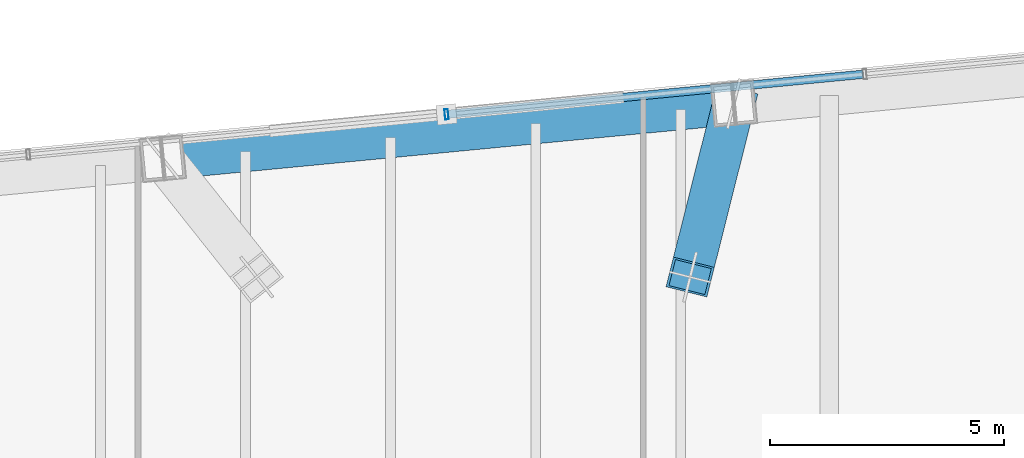
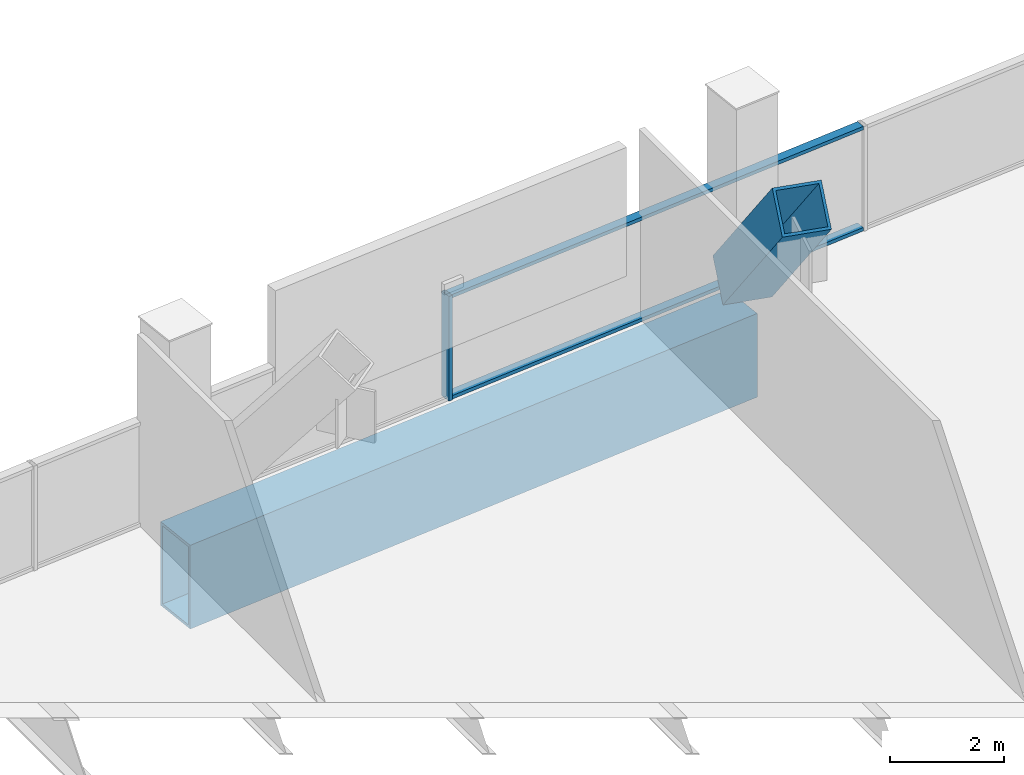
# One storey, part 17 of 30: 4 members, 1 beam, 1 element without a shape of its own.
"""IFC4 building model written with IfcOpenShell, lengths in metres."""

from ifc_helpers import new_model, si_unit, direction, frame, origin, origin_2d, place, context, subcontext, project, spatial, hollow_rectangle, extrude, material, layer, layer_set, material_profile, profile_set, type_object, element, aggregate, save


model = new_model("IFC4")

# Units and contexts
model_context = context("Model", 3, precision=1e-05, world=origin(), true_north=direction((0.0, 1.0)))
body_context = subcontext(model_context, "Body", "Model", "MODEL_VIEW")
ifc_project = project(units=[si_unit("LENGTHUNIT", "METRE"), si_unit("AREAUNIT", "SQUARE_METRE"), si_unit("VOLUMEUNIT", "CUBIC_METRE"), si_unit("PLANEANGLEUNIT", "RADIAN"), si_unit("MASSUNIT", "GRAM", prefix="KILO")], contexts=[model_context])

# Site, building, storey
site_placement = place(None, origin())
site = spatial("IfcSite", under=ifc_project, at=site_placement, CompositionType="ELEMENT")
building_placement = place(site_placement, origin())
building = spatial("IfcBuilding", under=site, at=building_placement, Name="Qhalaya Broadcast Tower", CompositionType="ELEMENT")
storey_placement = place(building_placement, frame((0.0, 0.0, 96.89990234375)))
storey = spatial("IfcBuildingStorey", under=building, at=storey_placement, Name="L28", CompositionType="ELEMENT", Elevation=96.89990234375)

# Beam
ifc_material_1 = material(Name="Structural Steel ASTM A572 Grade 50", Category="steel")
ifc_material_profile_1 = material_profile(ifc_material_1, hollow_rectangle(XDim=0.89990234375, YDim=1.800048828125, WallThickness=0.06005859375, at=origin_2d()), Name="BOX 900x1800x60")
ifc_profile_set_1 = profile_set([ifc_material_profile_1], Name="Structural Steel ASTM A572 Grade 50")
beam_type = type_object("IfcBeamType", Name="Block Cantilever Transfer Box Girder TG1", PredefinedType="USERDEFINED", material=ifc_profile_set_1)
beam_placement = place(storey_placement, frame((7.335205078125, 28.116943359375, -1.119873046875), z_axis=(-0.99539563662, -0.095851586307, 0.0), x_axis=(0.095851586307, -0.99539563662, 0.0)))
element("IfcBeam", 1, at=beam_placement, inside=storey, type_object=beam_type, Name="L28 TG1 L28-SPR-10", ObjectType="GIRDER", PredefinedType="USERDEFINED", context=body_context, shape_type="SweptSolid", body=[
    extrude(hollow_rectangle(XDim=0.89990234375, YDim=1.800048828125, WallThickness=0.06005859375, at=origin_2d()), origin(), (0.0, 0.0, 1.0), 12.2666015625),
])

# Member
ifc_material_profile_2 = material_profile(ifc_material_1, hollow_rectangle(XDim=0.89990234375, YDim=0.89990234375, WallThickness=0.054931640625, at=origin_2d()), Name="BOX 900x900x55")
ifc_profile_set_2 = profile_set([ifc_material_profile_2], Name="Structural Steel ASTM A572 Grade 50")
member_type_1 = type_object("IfcMemberType", Name="Heavy Exoskeleton Transfer Strut RK1", PredefinedType="BRACE", material=ifc_profile_set_2)
member_1_placement = place(storey_placement, frame((7.335205078125, 28.116943359375, 0.31982421875), z_axis=(-0.167768079329, -0.667380276797, 0.725573867846), x_axis=(0.96982607804, -0.2437978227, 0.0)))
element("IfcMember", 2, at=member_1_placement, inside=storey, type_object=member_type_1, Name="L28 Inclined Exoskeleton Transfer Strut 10", PredefinedType="BRACE", context=body_context, shape_type="SweptSolid", body=[
    extrude(hollow_rectangle(XDim=0.89990234375, YDim=0.89990234375, WallThickness=0.054931640625, at=origin_2d()), origin(), (0.0, 0.0, 1.0), 5.5546875),
])

# Curtain wall, members
ifc_material_2 = material(Name="Fired Architectural Terracotta", Category="masonry")
ifc_layer = layer(ifc_material_2, 0.219970703125, Name="Fired Architectural Terracotta")
ifc_layer_set = layer_set([ifc_layer], Name="Fired Architectural Terracotta")
curtain_wall_type = type_object("IfcCurtainWallType", Name="Block-Cap Unitised Terracotta Spandrel Wall CW-07", PredefinedType="NOTDEFINED", material=ifc_layer_set)
curtain_wall_placement = place(storey_placement, origin())
curtain_wall = element("IfcCurtainWall", 3, at=curtain_wall_placement, inside=storey, type_object=curtain_wall_type, Name="L28 Unitised Curtain Wall L28-CW-N", PredefinedType="NOTDEFINED")
ifc_material_3 = material(Name="Anodised Aluminium 6063-T6", Category="aluminium")
ifc_material_profile_3 = material_profile(ifc_material_3, hollow_rectangle(XDim=0.074951171875, YDim=0.219970703125, WallThickness=0.00390625, at=origin_2d()), Name="ALU-MUL 75x220x4")
ifc_profile_set_3 = profile_set([ifc_material_profile_3], Name="Anodised Aluminium 6063-T6")
member_type_2 = type_object("IfcMemberType", Name="Unitised Curtain-Wall Mullion M01", PredefinedType="MULLION", material=ifc_profile_set_3)
member_2_placement = place(storey_placement, frame((1.195556640625, 27.887451171875, 0.0), z_axis=(0.0, 0.0, 1.0), x_axis=(0.995396096278, 0.095846812756, 0.0)))
member_2 = element("IfcMember", 4, at=member_2_placement, type_object=member_type_2, Name="CW-07 mullion 3", PredefinedType="MULLION", context=body_context, shape_type="SweptSolid", body=[
    extrude(hollow_rectangle(XDim=0.074951171875, YDim=0.219970703125, WallThickness=0.00390625, at=origin_2d()), origin(), (0.0, 0.0, 1.0), 2.25),
])
ifc_material_profile_4 = material_profile(ifc_material_3, hollow_rectangle(XDim=0.074951171875, YDim=0.179931640625, WallThickness=0.00390625, at=origin_2d()), Name="ALU-TRN 75x180x4")
ifc_profile_set_4 = profile_set([ifc_material_profile_4], Name="Anodised Aluminium 6063-T6")
member_type_3 = type_object("IfcMemberType", Name="Unitised Curtain-Wall Transom T01", PredefinedType="USERDEFINED", material=ifc_profile_set_4)
member_3_placement = place(storey_placement, frame((1.23291015625, 27.89111328125, 0.03759765625), z_axis=(0.995397117949, 0.095836201822, 0.0), x_axis=(0.0, 0.0, 1.0)))
member_3 = element("IfcMember", 5, at=member_3_placement, type_object=member_type_3, Name="CW-07 transom 3.1", ObjectType="TRANSOM", PredefinedType="USERDEFINED", context=body_context, shape_type="SweptSolid", body=[
    extrude(hollow_rectangle(XDim=0.074951171875, YDim=0.179931640625, WallThickness=0.00390625, at=origin_2d()), origin(), (0.0, 0.0, 1.0), 8.906005859375),
])
member_4_placement = place(storey_placement, frame((1.23291015625, 27.89111328125, 2.212646484375), z_axis=(0.995397117949, 0.095836201822, 0.0), x_axis=(0.0, 0.0, 1.0)))
member_4 = element("IfcMember", 6, at=member_4_placement, type_object=member_type_3, Name="CW-07 transom 3.2", ObjectType="TRANSOM", PredefinedType="USERDEFINED", context=body_context, shape_type="SweptSolid", body=[
    extrude(hollow_rectangle(XDim=0.074951171875, YDim=0.179931640625, WallThickness=0.00390625, at=origin_2d()), origin(), (0.0, 0.0, 1.0), 8.906005859375),
])
aggregate(curtain_wall, [member_2, member_3, member_4])

save(model, "model.ifc")
